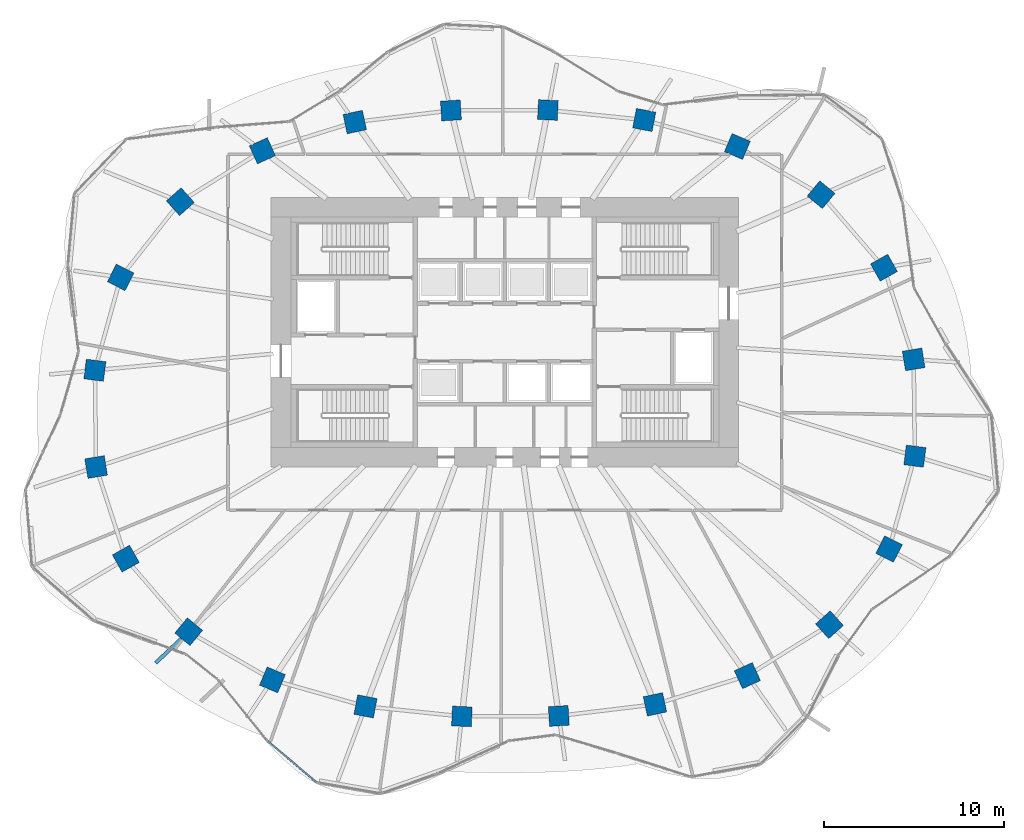
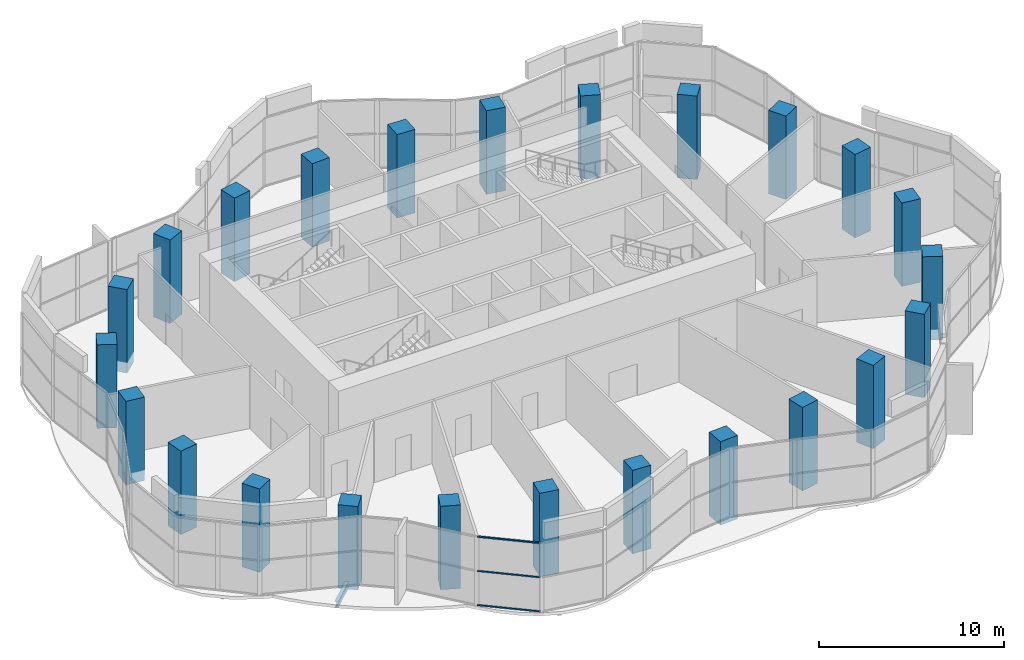
# One storey, part 1 of 16: 24 columns, 3 members, 1 beam, 1 element without a shape of its own.
"""IFC4 building model written with IfcOpenShell, lengths in metres."""

from ifc_helpers import new_model, si_unit, direction, frame, origin, origin_2d, place, context, subcontext, project, spatial, rectangle, i_section, extrude, material, material_profile, profile_set, type_object, element, aggregate, save


model = new_model("IFC4")

# Units and contexts
model_context = context("Model", 3, precision=1e-05, world=origin(), true_north=direction((0.0, 1.0)))
body_context = subcontext(model_context, "Body", "Model", "MODEL_VIEW")
ifc_project = project(units=[si_unit("LENGTHUNIT", "METRE"), si_unit("AREAUNIT", "SQUARE_METRE"), si_unit("VOLUMEUNIT", "CUBIC_METRE"), si_unit("PLANEANGLEUNIT", "RADIAN"), si_unit("MASSUNIT", "GRAM", prefix="KILO")], contexts=[model_context])

# Site, building, storey
site_placement = place(None, origin())
site = spatial("IfcSite", under=ifc_project, at=site_placement, CompositionType="ELEMENT")
building_placement = place(site_placement, origin())
building = spatial("IfcBuilding", under=site, at=building_placement, Name="Rubra Terraces Tower", CompositionType="ELEMENT")
storey_placement = place(building_placement, frame((0.0, 0.0, 125.699951171875)))
storey = spatial("IfcBuildingStorey", under=building, at=storey_placement, Name="L30", CompositionType="ELEMENT", Elevation=125.699951171875)

# Columns
ifc_material_1 = material(Name="Concrete C50", Category="concrete")
ifc_material_profile_1 = material_profile(ifc_material_1, rectangle(XDim=1.10009765625, YDim=1.10009765625, at=origin_2d()), Name="RC 1100x1100")
ifc_profile_set_1 = profile_set([ifc_material_profile_1], Name="Concrete C50")
column_type = type_object("IfcColumnType", Name="RING COLUMN RC 1100x1100 C50", PredefinedType="COLUMN", material=ifc_profile_set_1)
for number, where, z_axis, x_axis, name in (
    (1, (22.73388671875, 2.992919921875, -0.699951171875), (0.0, 0.0, 1.0), (-0.162062155721, 0.986780551938, 0.0), "column-L30-ring-01"),
    (2, (21.0810546875, 8.090087890625, -0.699951171875), (0.0, 0.0, 1.0), (-0.490161823029, 0.8716314515, 0.0), "column-L30-ring-02"),
    (3, (17.583984375, 12.15087890625, -0.699951171875), (0.0, 0.0, 1.0), (-0.770679191336, 0.637223339216, 0.0), "column-L30-ring-03"),
    (4, (12.927001953125, 14.83203125, -0.699951171875), (0.0, 0.0, 1.0), (-0.92110553102, 0.389312985558, 0.0), "column-L30-ring-04"),
    (5, (7.7509765625, 16.306884765625, -0.699951171875), (0.0, 0.0, 1.0), (-0.981936574306, 0.189210369799, 0.0), "column-L30-ring-05"),
    (6, (2.39208984375, 16.862060546875, -0.699951171875), (0.0, 0.0, 1.0), (-0.998791416829, 0.049149828786, 0.0), "column-L30-ring-06"),
    (7, (-2.9990234375, 16.8359375, -0.699951171875), (0.0, 0.0, 1.0), (-0.998059443319, -0.062268351524, 0.0), "column-L30-ring-07"),
    (8, (-8.346923828125, 16.19189453125, -0.699951171875), (0.0, 0.0, 1.0), (-0.977944102772, -0.208866780156, 0.0), "column-L30-ring-08"),
    (9, (-13.487060546875, 14.595947265625, -0.699951171875), (0.0, 0.0, 1.0), (-0.90972649622, -0.415208022652, 0.0), "column-L30-ring-09"),
    (10, (-18.051025390625, 11.762939453125, -0.699951171875), (0.0, 0.0, 1.0), (-0.7456420961, -0.66634665492, 0.0), "column-L30-ring-10"),
    (11, (-21.366943359375, 7.553955078125, -0.699951171875), (0.0, 0.0, 1.0), (-0.452078869866, -0.891977968013, 0.0), "column-L30-ring-11"),
    (12, (-22.802001953125, 2.388916015625, -0.699951171875), (0.0, 0.0, 1.0), (-0.128535191473, -0.991704948336, 0.0), "column-L30-ring-12"),
    (13, (-22.73388671875, -2.992919921875, -0.699951171875), (0.0, 0.0, 1.0), (0.162062155721, -0.986780551938, 0.0), "column-L30-ring-13"),
    (14, (-21.0810546875, -8.090087890625, -0.699951171875), (0.0, 0.0, 1.0), (0.490161823029, -0.8716314515, 0.0), "column-L30-ring-14"),
    (15, (-17.583984375, -12.15087890625, -0.699951171875), (0.0, 0.0, 1.0), (0.770679191336, -0.637223339216, 0.0), "column-L30-ring-15"),
    (16, (-12.927001953125, -14.83203125, -0.699951171875), (0.0, 0.0, 1.0), (0.92110553102, -0.389312985558, 0.0), "column-L30-ring-16"),
    (17, (-7.7509765625, -16.306884765625, -0.699951171875), (0.0, 0.0, 1.0), (0.981936574306, -0.189210369799, 0.0), "column-L30-ring-17"),
    (18, (-2.39208984375, -16.862060546875, -0.699951171875), (0.0, 0.0, 1.0), (0.998791416829, -0.049149828786, 0.0), "column-L30-ring-18"),
    (19, (2.9990234375, -16.8359375, -0.699951171875), (0.0, 0.0, 1.0), (0.998059443319, 0.062268351524, 0.0), "column-L30-ring-19"),
    (20, (8.346923828125, -16.19189453125, -0.699951171875), (0.0, 0.0, 1.0), (0.977944102772, 0.208866780156, 0.0), "column-L30-ring-20"),
    (21, (13.487060546875, -14.595947265625, -0.699951171875), (0.0, 0.0, 1.0), (0.90972649622, 0.415208022652, 0.0), "column-L30-ring-21"),
    (22, (18.051025390625, -11.762939453125, -0.699951171875), (0.0, 0.0, 1.0), (0.7456420961, 0.66634665492, 0.0), "column-L30-ring-22"),
    (23, (21.366943359375, -7.553955078125, -0.699951171875), (0.0, 0.0, 1.0), (0.452078869866, 0.891977968013, 0.0), "column-L30-ring-23"),
    (24, (22.802001953125, -2.388916015625, -0.699951171875), (0.0, 0.0, 1.0), (0.128535191473, 0.991704948336, 0.0), "column-L30-ring-24"),
):
    element("IfcColumn", number, at=place(storey_placement, frame(where, z_axis=z_axis, x_axis=x_axis)), inside=storey, type_object=column_type, Name=name, PredefinedType="COLUMN", context=body_context, shape_type="SweptSolid", body=[
        extrude(rectangle(XDim=1.10009765625, YDim=1.10009765625, at=origin_2d()), origin(), (0.0, 0.0, 1.0), 5.5),
    ])

# Beam
ifc_material_2 = material(Name="Steel Q355B", Category="steel")
ifc_material_profile_2 = material_profile(ifc_material_2, i_section(OverallWidth=0.199951171875, OverallDepth=0.39990234375, WebThickness=0.008056640625, FlangeThickness=0.012939453125, at=origin_2d()), Name="HN 400x200x8x13")
ifc_profile_set_2 = profile_set([ifc_material_profile_2], Name="Steel Q355B")
beam_type = type_object("IfcBeamType", Name="CANTILEVER BEAM HN 400x200x8x13", PredefinedType="BEAM", material=ifc_profile_set_2)
beam_placement = place(storey_placement, frame((-17.986083984375, -12.531982421875, -0.39990234375), z_axis=(-0.726135219721, -0.687551919989, 0.0), x_axis=(0.687551919989, -0.726135219721, 0.0)))
element("IfcBeam", 25, at=beam_placement, inside=storey, type_object=beam_type, Name="beam-L30-cant-15", PredefinedType="BEAM", context=body_context, shape_type="SweptSolid", body=[
    extrude(i_section(OverallWidth=0.199951171875, OverallDepth=0.39990234375, WebThickness=0.008056640625, FlangeThickness=0.012939453125, at=origin_2d()), origin(), (0.0, 0.0, 1.0), 1.9677734375),
])

# Curtain wall, members
ifc_material_3 = material(Name="Aluminium and glass", Category="aluminium")
curtain_wall_type = type_object("IfcCurtainWallType", Name="Curtain wall Sky lobby glazing", PredefinedType="NOTDEFINED", material=ifc_material_3)
curtain_wall_placement = place(storey_placement, origin())
curtain_wall = element("IfcCurtainWall", 26, at=curtain_wall_placement, inside=storey, type_object=curtain_wall_type, Name="L30 glazing bay 27", PredefinedType="NOTDEFINED")
ifc_material_4 = material(Name="Aluminium, anodised dark grey", Category="aluminium")
ifc_material_profile_3 = material_profile(ifc_material_4, rectangle(XDim=0.10009765625, YDim=0.080078125, at=origin_2d()), Name="AL 100x80")
ifc_profile_set_3 = profile_set([ifc_material_profile_3], Name="Aluminium, anodised dark grey")
member_type = type_object("IfcMemberType", Name="Sky lobby glazing transom 100 x 80", PredefinedType="USERDEFINED", material=ifc_profile_set_3)
member_1_placement = place(storey_placement, frame((-13.166259765625, -18.2626953125, 0.050048828125), z_axis=(0.765558705116, -0.643366045903, 0.0), x_axis=(0.643366045903, 0.765558705116, 0.0)))
member_1 = element("IfcMember", 27, at=member_1_placement, type_object=member_type, Name="CW2 transom 1.1", ObjectType="TRANSOM", PredefinedType="USERDEFINED", context=body_context, shape_type="SweptSolid", body=[
    extrude(rectangle(XDim=0.10009765625, YDim=0.080078125, at=origin_2d()), origin(), (0.0, 0.0, 1.0), 3.488525390625),
])
member_2_placement = place(storey_placement, frame((-13.166259765625, -18.2626953125, 2.300048828125), z_axis=(0.765558705116, -0.643366045903, 0.0), x_axis=(0.643366045903, 0.765558705116, 0.0)))
member_2 = element("IfcMember", 28, at=member_2_placement, type_object=member_type, Name="CW2 transom 1.2", ObjectType="TRANSOM", PredefinedType="USERDEFINED", context=body_context, shape_type="SweptSolid", body=[
    extrude(rectangle(XDim=0.10009765625, YDim=0.080078125, at=origin_2d()), origin(), (0.0, 0.0, 1.0), 3.488525390625),
])
member_3_placement = place(storey_placement, frame((-13.166259765625, -18.2626953125, 4.550048828125), z_axis=(0.765558705116, -0.643366045903, 0.0), x_axis=(0.643366045903, 0.765558705116, 0.0)))
member_3 = element("IfcMember", 29, at=member_3_placement, type_object=member_type, Name="CW2 transom 1.3", ObjectType="TRANSOM", PredefinedType="USERDEFINED", context=body_context, shape_type="SweptSolid", body=[
    extrude(rectangle(XDim=0.10009765625, YDim=0.080078125, at=origin_2d()), origin(), (0.0, 0.0, 1.0), 3.488525390625),
])
aggregate(curtain_wall, [member_1, member_2, member_3])

save(model, "model.ifc")
